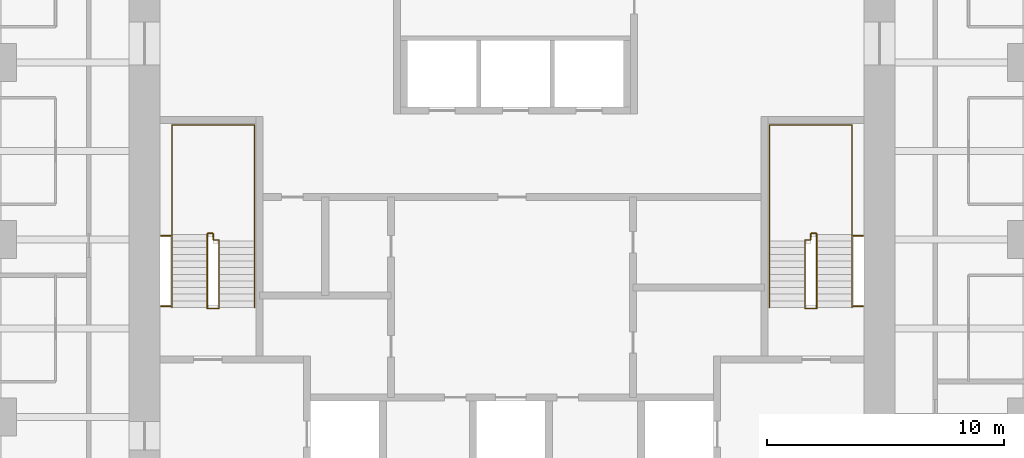
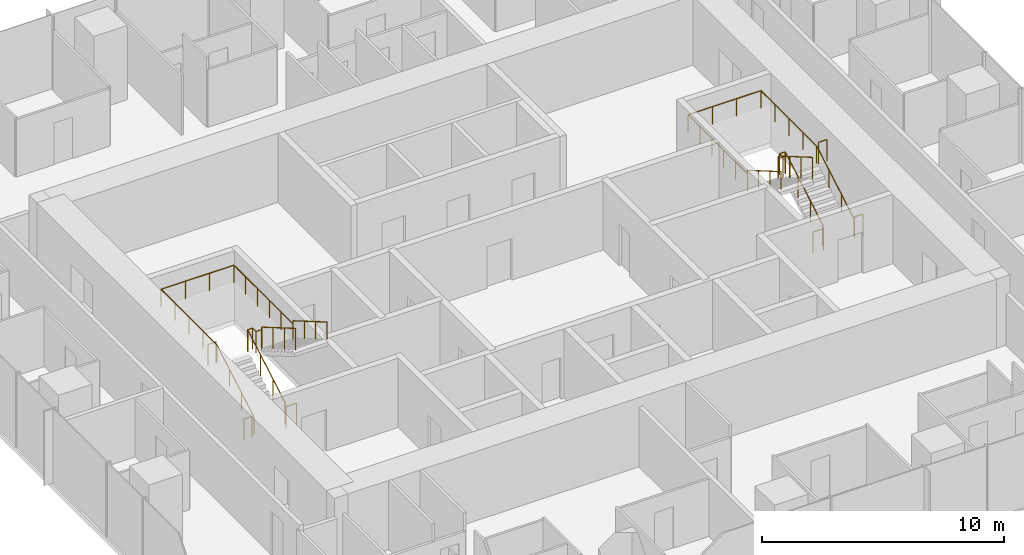
# One storey, part 12 of 12: 8 railings.
"""IFC4 building model written with IfcOpenShell, lengths in metres."""

from ifc_helpers import new_model, si_unit, direction, frame, origin, origin_2d, place, context, subcontext, project, spatial, circle, extrude, material, type_object, element, save


model = new_model("IFC4")

# Units and contexts
model_context = context("Model", 3, precision=1e-05, world=origin(), true_north=direction((0.0, 1.0)))
body_context = subcontext(model_context, "Body", "Model", "MODEL_VIEW")
ifc_project = project(units=[si_unit("LENGTHUNIT", "METRE"), si_unit("AREAUNIT", "SQUARE_METRE"), si_unit("VOLUMEUNIT", "CUBIC_METRE"), si_unit("PLANEANGLEUNIT", "RADIAN"), si_unit("MASSUNIT", "GRAM", prefix="KILO")], contexts=[model_context])

# Site, building, storey
site_placement = place(None, origin())
site = spatial("IfcSite", under=ifc_project, at=site_placement, CompositionType="ELEMENT")
building_placement = place(site_placement, origin())
building = spatial("IfcBuilding", under=site, at=building_placement, Name="Khuree Lantern Residences", CompositionType="ELEMENT")
storey_placement = place(building_placement, frame((0.0, 0.0, 330.75)))
storey = spatial("IfcBuildingStorey", under=building, at=storey_placement, Name="L83", CompositionType="ELEMENT", Elevation=330.75)

# Railings
ifc_material = material(Name="Steel S355", Category="steel")
railing_type_1 = type_object("IfcRailingType", Name="STAIR GUARD G1 1100", PredefinedType="GUARDRAIL", material=ifc_material)
railing_1_placement = place(storey_placement, frame((-12.35009765625, -2.909912109375, 0.0)))
element("IfcRailing", 1, at=railing_1_placement, inside=storey, type_object=railing_type_1, Name="Stair ST1 guard", PredefinedType="GUARDRAIL", context=body_context, shape_type="SweptSolid", body=[
    extrude(circle(Radius=0.02392578125, at=origin_2d()), frame((0.0, 0.0, 1.076171875), z_axis=(-1.0, 0.0, 0.0), x_axis=(0.0, -1.0, 0.0)), (0.0, 0.0, 1.0), 0.5),
    extrude(circle(Radius=0.02392578125, at=origin_2d()), frame((-0.5, 0.0, 1.076171875), z_axis=(0.0, 0.292073035251, 0.95639601739), x_axis=(-1.0, 0.0, 0.0)), (0.0, 0.0, 1.0), 0.17041015625),
    extrude(circle(Radius=0.02392578125, at=origin_2d()), frame((-0.5, 0.0498046875, 1.2392578125), z_axis=(0.0, 0.864176135923, 0.503189433615), x_axis=(-1.0, 0.0, 0.0)), (0.0, 0.0, 1.0), 3.564208984375),
    extrude(circle(Radius=0.02392578125, at=origin_2d()), frame((-0.5, 3.1298828125, 3.03271484375), z_axis=(0.0, 1.0, 0.0), x_axis=(-1.0, 0.0, 0.0)), (0.0, 0.0, 1.0), 0.050048828125),
    extrude(circle(Radius=0.02392578125, at=origin_2d()), frame((-0.5, 3.179931640625, 3.03271484375), z_axis=(1.0, 0.0, 0.0), x_axis=(0.0, 1.0, 0.0)), (0.0, 0.0, 1.0), 0.25),
    extrude(circle(Radius=0.02392578125, at=origin_2d()), frame((-0.25, 3.179931640625, 3.03271484375), z_axis=(0.0, -1.0, 0.0), x_axis=(1.0, 0.0, 0.0)), (0.0, 0.0, 1.0), 0.280029296875),
    extrude(circle(Radius=0.02392578125, at=origin_2d()), frame((-0.25, 2.89990234375, 3.03271484375), z_axis=(1.0, 0.0, 0.0), x_axis=(0.0, 1.0, 0.0)), (0.0, 0.0, 1.0), 0.25),
    extrude(circle(Radius=0.02392578125, at=origin_2d()), frame((0.0, 2.89990234375, 3.03271484375), z_axis=(0.0, -0.293381807449, 0.955995353053), x_axis=(1.0, 0.0, 0.0)), (0.0, 0.0, 1.0), 0.170654296875),
    extrude(circle(Radius=0.02392578125, at=origin_2d()), frame((0.0, 2.849853515625, 3.19580078125), z_axis=(0.0, -0.864180358799, 0.503182181189), x_axis=(1.0, 0.0, 0.0)), (0.0, 0.0, 1.0), 3.240234375),
    extrude(circle(Radius=0.02099609375, at=origin_2d()), origin(), (0.0, 0.0, 1.0), 1.052001953125),
    extrude(circle(Radius=0.02099609375, at=origin_2d()), frame((-0.5, 0.0, 0.0)), (0.0, 0.0, 1.0), 1.052001953125),
    extrude(circle(Radius=0.02099609375, at=origin_2d()), frame((-0.5, 0.0498046875, 0.1630859375)), (0.0, 0.0, 1.0), 1.052001953125),
    extrude(circle(Radius=0.02099609375, at=origin_2d()), frame((-0.5, 1.076416015625, 0.760986328125)), (0.0, 0.0, 1.0), 1.052001953125),
    extrude(circle(Radius=0.02099609375, at=origin_2d()), frame((-0.5, 2.103271484375, 1.358642578125)), (0.0, 0.0, 1.0), 1.052001953125),
    extrude(circle(Radius=0.02099609375, at=origin_2d()), frame((-0.5, 3.1298828125, 1.95654296875)), (0.0, 0.0, 1.0), 1.052001953125),
    extrude(circle(Radius=0.02099609375, at=origin_2d()), frame((-0.5, 3.179931640625, 1.95654296875)), (0.0, 0.0, 1.0), 1.052001953125),
    extrude(circle(Radius=0.02099609375, at=origin_2d()), frame((-0.25, 3.179931640625, 1.95654296875)), (0.0, 0.0, 1.0), 1.052001953125),
    extrude(circle(Radius=0.02099609375, at=origin_2d()), frame((-0.25, 2.89990234375, 1.95654296875)), (0.0, 0.0, 1.0), 1.052001953125),
    extrude(circle(Radius=0.02099609375, at=origin_2d()), frame((0.0, 2.89990234375, 1.95654296875)), (0.0, 0.0, 1.0), 1.052001953125),
    extrude(circle(Radius=0.02099609375, at=origin_2d()), frame((0.0, 2.849853515625, 2.11962890625)), (0.0, 0.0, 1.0), 1.052001953125),
    extrude(circle(Radius=0.02099609375, at=origin_2d()), frame((0.0, 1.91650390625, 2.6630859375)), (0.0, 0.0, 1.0), 1.052001953125),
    extrude(circle(Radius=0.02099609375, at=origin_2d()), frame((0.0, 0.983154296875, 3.20654296875)), (0.0, 0.0, 1.0), 1.052001953125),
    extrude(circle(Radius=0.02099609375, at=origin_2d()), frame((0.0, 0.0498046875, 3.75)), (0.0, 0.0, 1.0), 1.052001953125),
])
for number, where, name in (
    (2, (-14.800048828125, -2.81005859375, 0.0), "Stair ST1 landing slot guard"),
    (3, (-14.800048828125, 0.169921875, 1.95654296875), "Stair ST1 landing slot guard"),
):
    element("IfcRailing", number, at=place(storey_placement, frame(where)), inside=storey, type_object=railing_type_1, Name=name, PredefinedType="GUARDRAIL", context=body_context, shape_type="SweptSolid", body=[
        extrude(circle(Radius=0.02392578125, at=origin_2d()), frame((0.0, 0.0, 1.076171875), z_axis=(1.0, 0.0, 0.0), x_axis=(0.0, 1.0, 0.0)), (0.0, 0.0, 1.0), 0.400146484375),
        extrude(circle(Radius=0.02099609375, at=origin_2d()), origin(), (0.0, 0.0, 1.0), 1.052001953125),
        extrude(circle(Radius=0.02099609375, at=origin_2d()), frame((0.400146484375, 0.0, 0.0)), (0.0, 0.0, 1.0), 1.052001953125),
    ])
railing_2_placement = place(storey_placement, frame((12.35009765625, -2.909912109375, 0.0)))
element("IfcRailing", 4, at=railing_2_placement, inside=storey, type_object=railing_type_1, Name="Stair ST2 guard", PredefinedType="GUARDRAIL", context=body_context, shape_type="SweptSolid", body=[
    extrude(circle(Radius=0.02392578125, at=origin_2d()), frame((0.0, 0.0, 1.076171875), z_axis=(1.0, 0.0, 0.0), x_axis=(0.0, 1.0, 0.0)), (0.0, 0.0, 1.0), 0.5),
    extrude(circle(Radius=0.02392578125, at=origin_2d()), frame((0.5, 0.0, 1.076171875), z_axis=(0.0, 0.292073035251, 0.95639601739), x_axis=(-1.0, 0.0, 0.0)), (0.0, 0.0, 1.0), 0.17041015625),
    extrude(circle(Radius=0.02392578125, at=origin_2d()), frame((0.5, 0.0498046875, 1.2392578125), z_axis=(0.0, 0.864176135923, 0.503189433615), x_axis=(-1.0, 0.0, 0.0)), (0.0, 0.0, 1.0), 3.564208984375),
    extrude(circle(Radius=0.02392578125, at=origin_2d()), frame((0.5, 3.1298828125, 3.03271484375), z_axis=(0.0, 1.0, 0.0), x_axis=(-1.0, 0.0, 0.0)), (0.0, 0.0, 1.0), 0.050048828125),
    extrude(circle(Radius=0.02392578125, at=origin_2d()), frame((0.5, 3.179931640625, 3.03271484375), z_axis=(-1.0, 0.0, 0.0), x_axis=(0.0, -1.0, 0.0)), (0.0, 0.0, 1.0), 0.25),
    extrude(circle(Radius=0.02392578125, at=origin_2d()), frame((0.25, 3.179931640625, 3.03271484375), z_axis=(0.0, -1.0, 0.0), x_axis=(1.0, 0.0, 0.0)), (0.0, 0.0, 1.0), 0.280029296875),
    extrude(circle(Radius=0.02392578125, at=origin_2d()), frame((0.25, 2.89990234375, 3.03271484375), z_axis=(-1.0, 0.0, 0.0), x_axis=(0.0, -1.0, 0.0)), (0.0, 0.0, 1.0), 0.25),
    extrude(circle(Radius=0.02392578125, at=origin_2d()), frame((0.0, 2.89990234375, 3.03271484375), z_axis=(0.0, -0.293381807449, 0.955995353053), x_axis=(1.0, 0.0, 0.0)), (0.0, 0.0, 1.0), 0.170654296875),
    extrude(circle(Radius=0.02392578125, at=origin_2d()), frame((0.0, 2.849853515625, 3.19580078125), z_axis=(0.0, -0.864180358799, 0.503182181189), x_axis=(1.0, 0.0, 0.0)), (0.0, 0.0, 1.0), 3.240234375),
    extrude(circle(Radius=0.02099609375, at=origin_2d()), origin(), (0.0, 0.0, 1.0), 1.052001953125),
    extrude(circle(Radius=0.02099609375, at=origin_2d()), frame((0.5, 0.0, 0.0)), (0.0, 0.0, 1.0), 1.052001953125),
    extrude(circle(Radius=0.02099609375, at=origin_2d()), frame((0.5, 0.0498046875, 0.1630859375)), (0.0, 0.0, 1.0), 1.052001953125),
    extrude(circle(Radius=0.02099609375, at=origin_2d()), frame((0.5, 1.076416015625, 0.760986328125)), (0.0, 0.0, 1.0), 1.052001953125),
    extrude(circle(Radius=0.02099609375, at=origin_2d()), frame((0.5, 2.103271484375, 1.358642578125)), (0.0, 0.0, 1.0), 1.052001953125),
    extrude(circle(Radius=0.02099609375, at=origin_2d()), frame((0.5, 3.1298828125, 1.95654296875)), (0.0, 0.0, 1.0), 1.052001953125),
    extrude(circle(Radius=0.02099609375, at=origin_2d()), frame((0.5, 3.179931640625, 1.95654296875)), (0.0, 0.0, 1.0), 1.052001953125),
    extrude(circle(Radius=0.02099609375, at=origin_2d()), frame((0.25, 3.179931640625, 1.95654296875)), (0.0, 0.0, 1.0), 1.052001953125),
    extrude(circle(Radius=0.02099609375, at=origin_2d()), frame((0.25, 2.89990234375, 1.95654296875)), (0.0, 0.0, 1.0), 1.052001953125),
    extrude(circle(Radius=0.02099609375, at=origin_2d()), frame((0.0, 2.89990234375, 1.95654296875)), (0.0, 0.0, 1.0), 1.052001953125),
    extrude(circle(Radius=0.02099609375, at=origin_2d()), frame((0.0, 2.849853515625, 2.11962890625)), (0.0, 0.0, 1.0), 1.052001953125),
    extrude(circle(Radius=0.02099609375, at=origin_2d()), frame((0.0, 1.91650390625, 2.6630859375)), (0.0, 0.0, 1.0), 1.052001953125),
    extrude(circle(Radius=0.02099609375, at=origin_2d()), frame((0.0, 0.983154296875, 3.20654296875)), (0.0, 0.0, 1.0), 1.052001953125),
    extrude(circle(Radius=0.02099609375, at=origin_2d()), frame((0.0, 0.0498046875, 3.75)), (0.0, 0.0, 1.0), 1.052001953125),
])
for number, where, name in (
    (5, (14.800048828125, -2.81005859375, 0.0), "Stair ST2 landing slot guard"),
    (6, (14.800048828125, 0.169921875, 1.95654296875), "Stair ST2 landing slot guard"),
):
    element("IfcRailing", number, at=place(storey_placement, frame(where)), inside=storey, type_object=railing_type_1, Name=name, PredefinedType="GUARDRAIL", context=body_context, shape_type="SweptSolid", body=[
        extrude(circle(Radius=0.02392578125, at=origin_2d()), frame((0.0, 0.0, 1.076171875), z_axis=(-1.0, 0.0, 0.0), x_axis=(0.0, -1.0, 0.0)), (0.0, 0.0, 1.0), 0.400146484375),
        extrude(circle(Radius=0.02099609375, at=origin_2d()), origin(), (0.0, 0.0, 1.0), 1.052001953125),
        extrude(circle(Radius=0.02099609375, at=origin_2d()), frame((-0.400146484375, 0.0, 0.0)), (0.0, 0.0, 1.0), 1.052001953125),
    ])
railing_type_2 = type_object("IfcRailingType", Name="STAIR HANDRAIL H1 900", PredefinedType="HANDRAIL", material=ifc_material)
railing_3_placement = place(storey_placement, frame((-14.340087890625, -2.860107421875, 0.1630859375)))
element("IfcRailing", 7, at=railing_3_placement, inside=storey, type_object=railing_type_2, Name="Stair ST1 handrail", PredefinedType="HANDRAIL", context=body_context, shape_type="SweptSolid", body=[
    extrude(circle(Radius=0.02392578125, at=origin_2d()), frame((0.0, 0.0, 0.8759765625), z_axis=(0.0, 0.864176135923, 0.503189433615), x_axis=(-1.0, 0.0, 0.0)), (0.0, 0.0, 1.0), 3.564208984375),
    extrude(circle(Radius=0.02392578125, at=origin_2d()), frame((0.0, 3.080078125, 2.66943359375), z_axis=(0.0, 1.0, 0.0), x_axis=(-1.0, 0.0, 0.0)), (0.0, 0.0, 1.0), 4.6201171875),
    extrude(circle(Radius=0.02392578125, at=origin_2d()), frame((0.0, 7.7001953125, 2.66943359375), z_axis=(1.0, 0.0, 0.0), x_axis=(0.0, 1.0, 0.0)), (0.0, 0.0, 1.0), 3.47998046875),
    extrude(circle(Radius=0.02392578125, at=origin_2d()), frame((3.47998046875, 7.7001953125, 2.66943359375), z_axis=(0.0, -1.0, 0.0), x_axis=(1.0, 0.0, 0.0)), (0.0, 0.0, 1.0), 4.900146484375),
    extrude(circle(Radius=0.02392578125, at=origin_2d()), frame((3.47998046875, 2.800048828125, 2.66943359375), z_axis=(0.0, 0.0, 1.0), x_axis=(1.0, 0.0, 0.0)), (0.0, 0.0, 1.0), 0.1630859375),
    extrude(circle(Radius=0.02392578125, at=origin_2d()), frame((3.47998046875, 2.800048828125, 2.83251953125), z_axis=(0.0, -0.864180358799, 0.503182181189), x_axis=(1.0, 0.0, 0.0)), (0.0, 0.0, 1.0), 3.240234375),
    extrude(circle(Radius=0.02099609375, at=origin_2d()), origin(), (0.0, 0.0, 1.0), 0.851806640625),
    extrude(circle(Radius=0.02099609375, at=origin_2d()), frame((0.0, 1.026611328125, 0.597900390625)), (0.0, 0.0, 1.0), 0.851806640625),
    extrude(circle(Radius=0.02099609375, at=origin_2d()), frame((0.0, 2.053466796875, 1.195556640625)), (0.0, 0.0, 1.0), 0.851806640625),
    extrude(circle(Radius=0.02099609375, at=origin_2d()), frame((0.0, 3.080078125, 1.79345703125)), (0.0, 0.0, 1.0), 0.851806640625),
    extrude(circle(Radius=0.02099609375, at=origin_2d()), frame((0.0, 4.235107421875, 1.79345703125)), (0.0, 0.0, 1.0), 0.851806640625),
    extrude(circle(Radius=0.02099609375, at=origin_2d()), frame((0.0, 5.39013671875, 1.79345703125)), (0.0, 0.0, 1.0), 0.851806640625),
    extrude(circle(Radius=0.02099609375, at=origin_2d()), frame((0.0, 6.545166015625, 1.79345703125)), (0.0, 0.0, 1.0), 0.851806640625),
    extrude(circle(Radius=0.02099609375, at=origin_2d()), frame((0.0, 7.7001953125, 1.79345703125)), (0.0, 0.0, 1.0), 0.851806640625),
    extrude(circle(Radius=0.02099609375, at=origin_2d()), frame((1.159912109375, 7.7001953125, 1.79345703125)), (0.0, 0.0, 1.0), 0.851806640625),
    extrude(circle(Radius=0.02099609375, at=origin_2d()), frame((2.320068359375, 7.7001953125, 1.79345703125)), (0.0, 0.0, 1.0), 0.851806640625),
    extrude(circle(Radius=0.02099609375, at=origin_2d()), frame((3.47998046875, 7.7001953125, 1.79345703125)), (0.0, 0.0, 1.0), 0.851806640625),
    extrude(circle(Radius=0.02099609375, at=origin_2d()), frame((3.47998046875, 6.72021484375, 1.79345703125)), (0.0, 0.0, 1.0), 0.851806640625),
    extrude(circle(Radius=0.02099609375, at=origin_2d()), frame((3.47998046875, 5.740234375, 1.79345703125)), (0.0, 0.0, 1.0), 0.851806640625),
    extrude(circle(Radius=0.02099609375, at=origin_2d()), frame((3.47998046875, 4.760009765625, 1.79345703125)), (0.0, 0.0, 1.0), 0.851806640625),
    extrude(circle(Radius=0.02099609375, at=origin_2d()), frame((3.47998046875, 3.780029296875, 1.79345703125)), (0.0, 0.0, 1.0), 0.851806640625),
    extrude(circle(Radius=0.02099609375, at=origin_2d()), frame((3.47998046875, 2.800048828125, 1.79345703125)), (0.0, 0.0, 1.0), 0.851806640625),
    extrude(circle(Radius=0.02099609375, at=origin_2d()), frame((3.47998046875, 2.800048828125, 1.95654296875)), (0.0, 0.0, 1.0), 0.851806640625),
    extrude(circle(Radius=0.02099609375, at=origin_2d()), frame((3.47998046875, 1.86669921875, 2.5)), (0.0, 0.0, 1.0), 0.851806640625),
    extrude(circle(Radius=0.02099609375, at=origin_2d()), frame((3.47998046875, 0.933349609375, 3.04345703125)), (0.0, 0.0, 1.0), 0.851806640625),
    extrude(circle(Radius=0.02099609375, at=origin_2d()), frame((3.47998046875, 0.0, 3.5869140625)), (0.0, 0.0, 1.0), 0.851806640625),
])
railing_4_placement = place(storey_placement, frame((14.340087890625, -2.860107421875, 0.1630859375)))
element("IfcRailing", 8, at=railing_4_placement, inside=storey, type_object=railing_type_2, Name="Stair ST2 handrail", PredefinedType="HANDRAIL", context=body_context, shape_type="SweptSolid", body=[
    extrude(circle(Radius=0.02392578125, at=origin_2d()), frame((0.0, 0.0, 0.8759765625), z_axis=(0.0, 0.864176135923, 0.503189433615), x_axis=(-1.0, 0.0, 0.0)), (0.0, 0.0, 1.0), 3.564208984375),
    extrude(circle(Radius=0.02392578125, at=origin_2d()), frame((0.0, 3.080078125, 2.66943359375), z_axis=(0.0, 1.0, 0.0), x_axis=(-1.0, 0.0, 0.0)), (0.0, 0.0, 1.0), 4.6201171875),
    extrude(circle(Radius=0.02392578125, at=origin_2d()), frame((0.0, 7.7001953125, 2.66943359375), z_axis=(-1.0, 0.0, 0.0), x_axis=(0.0, -1.0, 0.0)), (0.0, 0.0, 1.0), 3.47998046875),
    extrude(circle(Radius=0.02392578125, at=origin_2d()), frame((-3.47998046875, 7.7001953125, 2.66943359375), z_axis=(0.0, -1.0, 0.0), x_axis=(1.0, 0.0, 0.0)), (0.0, 0.0, 1.0), 4.900146484375),
    extrude(circle(Radius=0.02392578125, at=origin_2d()), frame((-3.47998046875, 2.800048828125, 2.66943359375), z_axis=(0.0, 0.0, 1.0), x_axis=(1.0, 0.0, 0.0)), (0.0, 0.0, 1.0), 0.1630859375),
    extrude(circle(Radius=0.02392578125, at=origin_2d()), frame((-3.47998046875, 2.800048828125, 2.83251953125), z_axis=(0.0, -0.864180358799, 0.503182181189), x_axis=(1.0, 0.0, 0.0)), (0.0, 0.0, 1.0), 3.240234375),
    extrude(circle(Radius=0.02099609375, at=origin_2d()), origin(), (0.0, 0.0, 1.0), 0.851806640625),
    extrude(circle(Radius=0.02099609375, at=origin_2d()), frame((0.0, 1.026611328125, 0.597900390625)), (0.0, 0.0, 1.0), 0.851806640625),
    extrude(circle(Radius=0.02099609375, at=origin_2d()), frame((0.0, 2.053466796875, 1.195556640625)), (0.0, 0.0, 1.0), 0.851806640625),
    extrude(circle(Radius=0.02099609375, at=origin_2d()), frame((0.0, 3.080078125, 1.79345703125)), (0.0, 0.0, 1.0), 0.851806640625),
    extrude(circle(Radius=0.02099609375, at=origin_2d()), frame((0.0, 4.235107421875, 1.79345703125)), (0.0, 0.0, 1.0), 0.851806640625),
    extrude(circle(Radius=0.02099609375, at=origin_2d()), frame((0.0, 5.39013671875, 1.79345703125)), (0.0, 0.0, 1.0), 0.851806640625),
    extrude(circle(Radius=0.02099609375, at=origin_2d()), frame((0.0, 6.545166015625, 1.79345703125)), (0.0, 0.0, 1.0), 0.851806640625),
    extrude(circle(Radius=0.02099609375, at=origin_2d()), frame((0.0, 7.7001953125, 1.79345703125)), (0.0, 0.0, 1.0), 0.851806640625),
    extrude(circle(Radius=0.02099609375, at=origin_2d()), frame((-1.159912109375, 7.7001953125, 1.79345703125)), (0.0, 0.0, 1.0), 0.851806640625),
    extrude(circle(Radius=0.02099609375, at=origin_2d()), frame((-2.320068359375, 7.7001953125, 1.79345703125)), (0.0, 0.0, 1.0), 0.851806640625),
    extrude(circle(Radius=0.02099609375, at=origin_2d()), frame((-3.47998046875, 7.7001953125, 1.79345703125)), (0.0, 0.0, 1.0), 0.851806640625),
    extrude(circle(Radius=0.02099609375, at=origin_2d()), frame((-3.47998046875, 6.72021484375, 1.79345703125)), (0.0, 0.0, 1.0), 0.851806640625),
    extrude(circle(Radius=0.02099609375, at=origin_2d()), frame((-3.47998046875, 5.740234375, 1.79345703125)), (0.0, 0.0, 1.0), 0.851806640625),
    extrude(circle(Radius=0.02099609375, at=origin_2d()), frame((-3.47998046875, 4.760009765625, 1.79345703125)), (0.0, 0.0, 1.0), 0.851806640625),
    extrude(circle(Radius=0.02099609375, at=origin_2d()), frame((-3.47998046875, 3.780029296875, 1.79345703125)), (0.0, 0.0, 1.0), 0.851806640625),
    extrude(circle(Radius=0.02099609375, at=origin_2d()), frame((-3.47998046875, 2.800048828125, 1.79345703125)), (0.0, 0.0, 1.0), 0.851806640625),
    extrude(circle(Radius=0.02099609375, at=origin_2d()), frame((-3.47998046875, 2.800048828125, 1.95654296875)), (0.0, 0.0, 1.0), 0.851806640625),
    extrude(circle(Radius=0.02099609375, at=origin_2d()), frame((-3.47998046875, 1.86669921875, 2.5)), (0.0, 0.0, 1.0), 0.851806640625),
    extrude(circle(Radius=0.02099609375, at=origin_2d()), frame((-3.47998046875, 0.933349609375, 3.04345703125)), (0.0, 0.0, 1.0), 0.851806640625),
    extrude(circle(Radius=0.02099609375, at=origin_2d()), frame((-3.47998046875, 0.0, 3.5869140625)), (0.0, 0.0, 1.0), 0.851806640625),
])

save(model, "model.ifc")
